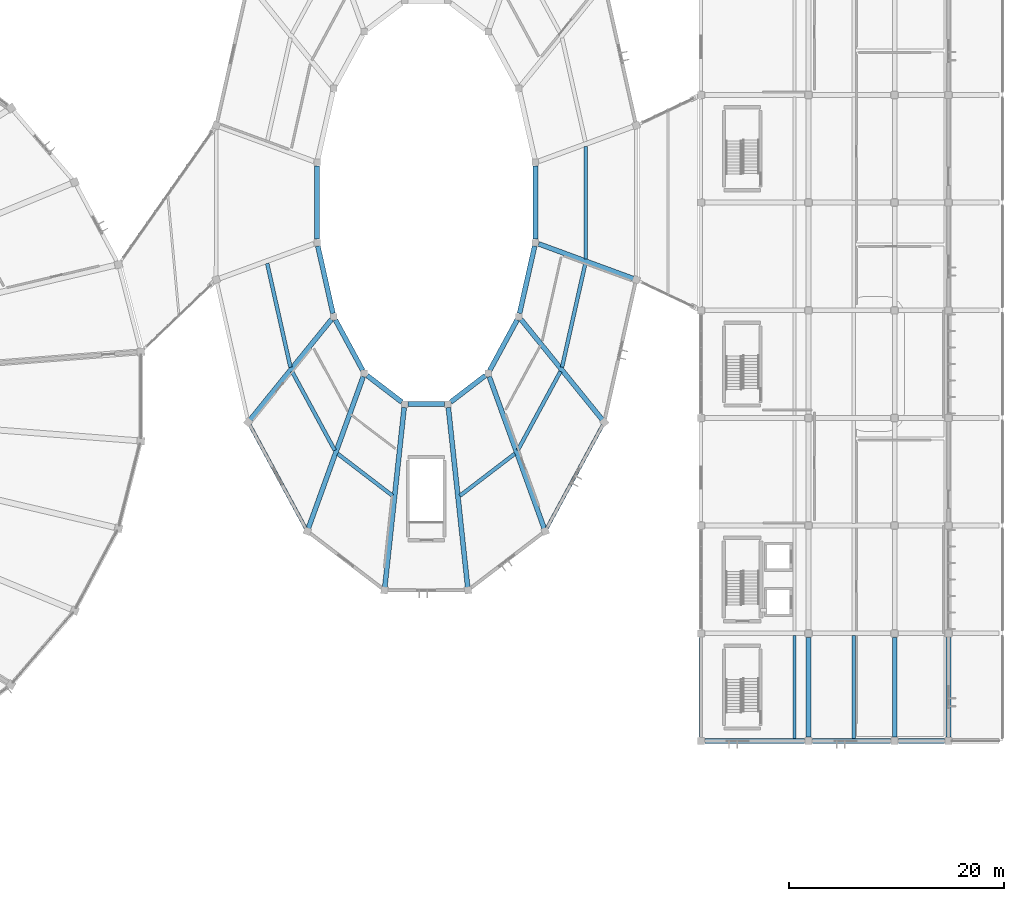
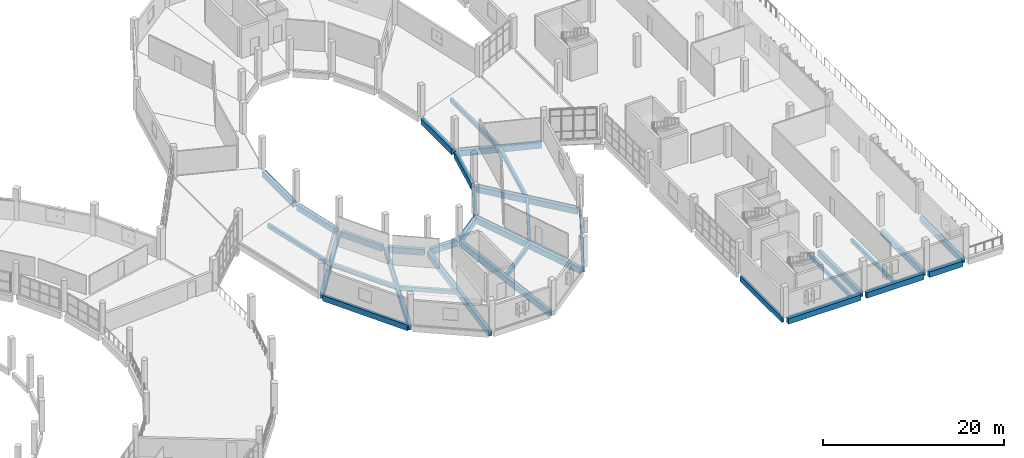
# One storey, part 53 of 142: 34 beams.
"""IFC4 building model written with IfcOpenShell, lengths in metres."""

from ifc_helpers import new_model, si_unit, direction, frame, origin, origin_2d, place, context, subcontext, project, spatial, rectangle, extrude, material, material_profile, profile_set, type_object, element, save


model = new_model("IFC4")

# Units and contexts
model_context = context("Model", 3, precision=1e-05, world=origin(), true_north=direction((0.0, 1.0)))
body_context = subcontext(model_context, "Body", "Model", "MODEL_VIEW")
ifc_project = project(units=[si_unit("LENGTHUNIT", "METRE"), si_unit("AREAUNIT", "SQUARE_METRE"), si_unit("VOLUMEUNIT", "CUBIC_METRE"), si_unit("PLANEANGLEUNIT", "RADIAN"), si_unit("MASSUNIT", "GRAM", prefix="KILO")], contexts=[model_context])

# Site, building, storey
site_placement = place(None, origin())
site = spatial("IfcSite", under=ifc_project, at=site_placement, CompositionType="ELEMENT")
building_placement = place(site_placement, origin())
building = spatial("IfcBuilding", under=site, at=building_placement, Name="Corvandel Quay Wholesale Market", CompositionType="ELEMENT")
storey_placement = place(building_placement, frame((0.0, 0.0, 10.800048828125)))
storey = spatial("IfcBuildingStorey", under=building, at=storey_placement, Name="L02", CompositionType="ELEMENT", Elevation=10.800048828125)

# Beams
ifc_material = material(Name="Precast concrete C45/55", Category="concrete")
ifc_material_profile_1 = material_profile(ifc_material, rectangle(XDim=0.449951171875, YDim=0.800048828125, at=origin_2d()), Name="PC-GIR-450x800")
ifc_profile_set_1 = profile_set([ifc_material_profile_1], Name="Precast concrete C45/55")
beam_type_1 = type_object("IfcBeamType", Name="Auction Pavilion Girder G05 450x800", PredefinedType="USERDEFINED", material=ifc_profile_set_1)
beam_1_placement = place(storey_placement, frame((184.360107421875, 63.404052734375, -0.6201171875), z_axis=(0.0, -1.0, 0.0), x_axis=(1.0, 0.0, 0.0)))
element("IfcBeam", 1, at=beam_1_placement, inside=storey, type_object=beam_type_1, Name="Beam BM-0846", ObjectType="GIRDER", PredefinedType="USERDEFINED", context=body_context, shape_type="SweptSolid", body=[
    extrude(rectangle(XDim=0.449951171875, YDim=0.800048828125, at=origin_2d()), origin(), (0.0, 0.0, 1.0), 6.80810546875),
])
beam_2_placement = place(storey_placement, frame((184.43017578125, 55.9638671875, -0.6201171875), z_axis=(0.218962135598, -0.975733356596, 0.0), x_axis=(0.975733356596, 0.218962135598, 0.0)))
element("IfcBeam", 2, at=beam_2_placement, inside=storey, type_object=beam_type_1, Name="Beam BM-0856", ObjectType="GIRDER", PredefinedType="USERDEFINED", context=body_context, shape_type="SweptSolid", body=[
    extrude(rectangle(XDim=0.449951171875, YDim=0.800048828125, at=origin_2d()), origin(), (0.0, 0.0, 1.0), 6.4111328125),
])
beam_3_placement = place(storey_placement, frame((186.056396484375, 49.114501953125, -0.6201171875), z_axis=(0.476224328517, -0.879323824839, 0.0), x_axis=(0.879323824839, 0.476224328517, 0.0)))
element("IfcBeam", 3, at=beam_3_placement, inside=storey, type_object=beam_type_1, Name="Beam BM-0867", ObjectType="GIRDER", PredefinedType="USERDEFINED", context=body_context, shape_type="SweptSolid", body=[
    extrude(rectangle(XDim=0.449951171875, YDim=0.800048828125, at=origin_2d()), origin(), (0.0, 0.0, 1.0), 5.3486328125),
])
beam_4_placement = place(storey_placement, frame((178.138916015625, 39.817626953125, -0.6201171875), z_axis=(0.629738976738, 0.776806810718, 0.0), x_axis=(-0.776806810718, 0.629738976738, 0.0)))
element("IfcBeam", 4, at=beam_4_placement, inside=storey, type_object=beam_type_1, Name="Beam BM-0868", ObjectType="GIRDER", PredefinedType="USERDEFINED", context=body_context, shape_type="SweptSolid", body=[
    extrude(rectangle(XDim=0.449951171875, YDim=0.800048828125, at=origin_2d()), origin(), (0.0, 0.0, 1.0), 12.010498046875),
])
beam_5_placement = place(storey_placement, frame((189.01025390625, 43.935546875, -0.6201171875), z_axis=(0.794361253638, -0.607445634372, 0.0), x_axis=(0.607445634372, 0.794361253638, 0.0)))
element("IfcBeam", 5, at=beam_5_placement, inside=storey, type_object=beam_type_1, Name="Beam BM-0878", ObjectType="GIRDER", PredefinedType="USERDEFINED", context=body_context, shape_type="SweptSolid", body=[
    extrude(rectangle(XDim=0.449951171875, YDim=0.800048828125, at=origin_2d()), origin(), (0.0, 0.0, 1.0), 4.0517578125),
])
beam_6_placement = place(storey_placement, frame((183.5458984375, 29.73486328125, -0.6201171875), z_axis=(0.340336804359, 0.940303599695, 0.0), x_axis=(-0.940303599695, 0.340336804359, 0.0)))
element("IfcBeam", 6, at=beam_6_placement, inside=storey, type_object=beam_type_1, Name="Beam BM-0879", ObjectType="GIRDER", PredefinedType="USERDEFINED", context=body_context, shape_type="SweptSolid", body=[
    extrude(rectangle(XDim=0.449951171875, YDim=0.800048828125, at=origin_2d()), origin(), (0.0, 0.0, 1.0), 14.989013671875),
])
beam_7_placement = place(storey_placement, frame((192.802978515625, 41.280029296875, -0.6201171875), z_axis=(1.0, 0.0, 0.0), x_axis=(0.0, 1.0, 0.0)))
element("IfcBeam", 7, at=beam_7_placement, inside=storey, type_object=beam_type_1, Name="Beam BM-0888", ObjectType="GIRDER", PredefinedType="USERDEFINED", context=body_context, shape_type="SweptSolid", body=[
    extrude(rectangle(XDim=0.449951171875, YDim=0.800048828125, at=origin_2d()), origin(), (0.0, 0.0, 1.0), 3.39404296875),
])
beam_8_placement = place(storey_placement, frame((190.64990234375, 24.268310546875, -0.6201171875), z_axis=(0.107135339087, 0.99424444636, 0.0), x_axis=(-0.99424444636, 0.107135339087, 0.0)))
element("IfcBeam", 8, at=beam_8_placement, inside=storey, type_object=beam_type_1, Name="Beam BM-0889", ObjectType="GIRDER", PredefinedType="USERDEFINED", context=body_context, shape_type="SweptSolid", body=[
    extrude(rectangle(XDim=0.449951171875, YDim=0.800048828125, at=origin_2d()), origin(), (0.0, 0.0, 1.0), 16.790283203125),
])
beam_9_placement = place(storey_placement, frame((196.771240234375, 41.474365234375, -0.6201171875), z_axis=(0.794361253638, 0.607445634372, 0.0), x_axis=(-0.607445634372, 0.794361253638, 0.0)))
element("IfcBeam", 9, at=beam_9_placement, inside=storey, type_object=beam_type_1, Name="Beam BM-0898", ObjectType="GIRDER", PredefinedType="USERDEFINED", context=body_context, shape_type="SweptSolid", body=[
    extrude(rectangle(XDim=0.449951171875, YDim=0.800048828125, at=origin_2d()), origin(), (0.0, 0.0, 1.0), 4.0517578125),
])
beam_10_placement = place(storey_placement, frame((198.35009765625, 24.268310546875, -0.6201171875), z_axis=(-0.107135339087, 0.99424444636, 0.0), x_axis=(-0.99424444636, -0.107135339087, 0.0)))
element("IfcBeam", 10, at=beam_10_placement, inside=storey, type_object=beam_type_1, Name="Beam BM-0899", ObjectType="GIRDER", PredefinedType="USERDEFINED", context=body_context, shape_type="SweptSolid", body=[
    extrude(rectangle(XDim=0.449951171875, YDim=0.800048828125, at=origin_2d()), origin(), (0.0, 0.0, 1.0), 16.790283203125),
])
beam_11_placement = place(storey_placement, frame((200.396484375, 44.411376953125, -0.6201171875), z_axis=(0.476224328517, 0.879323824839, 0.0), x_axis=(-0.879323824839, 0.476224328517, 0.0)))
element("IfcBeam", 11, at=beam_11_placement, inside=storey, type_object=beam_type_1, Name="Beam BM-0909", ObjectType="GIRDER", PredefinedType="USERDEFINED", context=body_context, shape_type="SweptSolid", body=[
    extrude(rectangle(XDim=0.449951171875, YDim=0.800048828125, at=origin_2d()), origin(), (0.0, 0.0, 1.0), 5.3486328125),
])
beam_12_placement = place(storey_placement, frame((205.4541015625, 29.73486328125, -0.6201171875), z_axis=(-0.340336804359, 0.940303599695, 0.0), x_axis=(-0.940303599695, -0.340336804359, 0.0)))
element("IfcBeam", 12, at=beam_12_placement, inside=storey, type_object=beam_type_1, Name="Beam BM-0910", ObjectType="GIRDER", PredefinedType="USERDEFINED", context=body_context, shape_type="SweptSolid", body=[
    extrude(rectangle(XDim=0.449951171875, YDim=0.800048828125, at=origin_2d()), origin(), (0.0, 0.0, 1.0), 14.989013671875),
])
beam_13_placement = place(storey_placement, frame((203.166015625, 49.708251953125, -0.6201171875), z_axis=(0.218962135598, 0.975733356596, 0.0), x_axis=(-0.975733356596, 0.218962135598, 0.0)))
element("IfcBeam", 13, at=beam_13_placement, inside=storey, type_object=beam_type_1, Name="Beam BM-0920", ObjectType="GIRDER", PredefinedType="USERDEFINED", context=body_context, shape_type="SweptSolid", body=[
    extrude(rectangle(XDim=0.449951171875, YDim=0.800048828125, at=origin_2d()), origin(), (0.0, 0.0, 1.0), 6.4111328125),
])
beam_14_placement = place(storey_placement, frame((210.861083984375, 39.817626953125, -0.6201171875), z_axis=(-0.629738976738, 0.776806810718, 0.0), x_axis=(-0.776806810718, -0.629738976738, 0.0)))
element("IfcBeam", 14, at=beam_14_placement, inside=storey, type_object=beam_type_1, Name="Beam BM-0921", ObjectType="GIRDER", PredefinedType="USERDEFINED", context=body_context, shape_type="SweptSolid", body=[
    extrude(rectangle(XDim=0.449951171875, YDim=0.800048828125, at=origin_2d()), origin(), (0.0, 0.0, 1.0), 12.010498046875),
])
beam_15_placement = place(storey_placement, frame((204.639892578125, 56.595947265625, -0.6201171875), z_axis=(0.0, 1.0, 0.0), x_axis=(-1.0, 0.0, 0.0)))
element("IfcBeam", 15, at=beam_15_placement, inside=storey, type_object=beam_type_1, Name="Beam BM-0931", ObjectType="GIRDER", PredefinedType="USERDEFINED", context=body_context, shape_type="SweptSolid", body=[
    extrude(rectangle(XDim=0.449951171875, YDim=0.800048828125, at=origin_2d()), origin(), (0.0, 0.0, 1.0), 6.80810546875),
])
beam_16_placement = place(storey_placement, frame((213.74658203125, 52.93212890625, -0.6201171875), z_axis=(-0.938713588156, 0.344698127949, 0.0), x_axis=(-0.344698127949, -0.938713588156, 0.0)))
element("IfcBeam", 16, at=beam_16_placement, inside=storey, type_object=beam_type_1, Name="Beam BM-0932", ObjectType="GIRDER", PredefinedType="USERDEFINED", context=body_context, shape_type="SweptSolid", body=[
    extrude(rectangle(XDim=0.449951171875, YDim=0.800048828125, at=origin_2d()), origin(), (0.0, 0.0, 1.0), 9.381103515625),
])
ifc_material_profile_2 = material_profile(ifc_material, rectangle(XDim=0.300048828125, YDim=0.5, at=origin_2d()), Name="PC-BM-300x500")
ifc_profile_set_2 = profile_set([ifc_material_profile_2], Name="Precast concrete C45/55")
beam_type_2 = type_object("IfcBeamType", Name="Office Floor Secondary Beam B04 300x500", PredefinedType="BEAM", material=ifc_profile_set_2)
for number, where, z_axis, x_axis, name in (
    (17, (228.699951171875, 10.215087890625, -0.570068359375), (0.0, 1.0, 0.0), (-1.0, 0.0, 0.0), "Beam BM-1594"),
    (18, (234.199951171875, 10.215087890625, -0.570068359375), (0.0, 1.0, 0.0), (-1.0, 0.0, 0.0), "Beam BM-1595"),
):
    element("IfcBeam", number, at=place(storey_placement, frame(where, z_axis=z_axis, x_axis=x_axis)), inside=storey, type_object=beam_type_2, Name=name, PredefinedType="BEAM", context=body_context, shape_type="SweptSolid", body=[
        extrude(rectangle(XDim=0.300048828125, YDim=0.5, at=origin_2d()), origin(), (0.0, 0.0, 1.0), 9.56982421875),
    ])
ifc_material_profile_3 = material_profile(ifc_material, rectangle(XDim=0.320068359375, YDim=0.75, at=origin_2d()), Name="PC-SPN-320x750")
ifc_profile_set_3 = profile_set([ifc_material_profile_3], Name="Precast concrete C45/55")
beam_type_3 = type_object("IfcBeamType", Name="Pavilion Precast Spandrel SP02 320x750", PredefinedType="SPANDREL", material=ifc_profile_set_3)
for number, where, z_axis, x_axis, name in (
    (19, (178.09765625, 39.37060546875, -0.594970703125), (0.476252338863, -0.879308654414, 0.0), (0.879308654414, 0.476252338863, 0.0), "Beam BM-0866"),
    (20, (205.674560546875, 29.718505859375, -0.594970703125), (0.476252338863, 0.879308654414, 0.0), (-0.879308654414, 0.476252338863, 0.0), "Beam BM-0908"),
):
    element("IfcBeam", number, at=place(storey_placement, frame(where, z_axis=z_axis, x_axis=x_axis)), inside=storey, type_object=beam_type_3, Name=name, PredefinedType="SPANDREL", context=body_context, shape_type="SweptSolid", body=[
        extrude(rectangle(XDim=0.320068359375, YDim=0.75, at=origin_2d()), origin(), (0.0, 0.0, 1.0), 10.976806640625),
    ])
ifc_material_profile_4 = material_profile(ifc_material, rectangle(XDim=0.35009765625, YDim=0.550048828125, at=origin_2d()), Name="PC-BM-350x550")
ifc_profile_set_4 = profile_set([ifc_material_profile_4], Name="Precast concrete C45/55")
beam_type_4 = type_object("IfcBeamType", Name="Standard Floor Secondary Beam B03 350x550", PredefinedType="BEAM", material=ifc_profile_set_4)
beam_17_placement = place(storey_placement, frame((179.72705078125, 54.34765625, -0.4951171875), z_axis=(0.218963891009, -0.975732962667, 0.0), x_axis=(0.975732962667, 0.218963891009, 0.0)))
element("IfcBeam", 21, at=beam_17_placement, inside=storey, type_object=beam_type_4, Name="Beam BM-0858", PredefinedType="BEAM", context=body_context, shape_type="SweptSolid", body=[
    extrude(rectangle(XDim=0.35009765625, YDim=0.550048828125, at=origin_2d()), origin(), (0.0, 0.0, 1.0), 9.87548828125),
])
beam_18_placement = place(storey_placement, frame((182.038818359375, 44.31298828125, -0.4951171875), z_axis=(0.476260468975, -0.879304250923, 0.0), x_axis=(0.879304250923, 0.476260468975, 0.0)))
element("IfcBeam", 22, at=beam_18_placement, inside=storey, type_object=beam_type_4, Name="Beam BM-0869", PredefinedType="BEAM", context=body_context, shape_type="SweptSolid", body=[
    extrude(rectangle(XDim=0.35009765625, YDim=0.550048828125, at=origin_2d()), origin(), (0.0, 0.0, 1.0), 8.322998046875),
])
for number, where, z_axis, x_axis, name in (
    (23, (186.27587890625, 36.6748046875, -0.4951171875), (0.794335189832, -0.607479716694, 0.0), (0.607479716694, 0.794335189832, 0.0), "Beam BM-0880"),
    (24, (197.618896484375, 32.7705078125, -0.4951171875), (0.794335189832, 0.607479716694, 0.0), (-0.607479716694, 0.794335189832, 0.0), "Beam BM-0900"),
):
    element("IfcBeam", number, at=place(storey_placement, frame(where, z_axis=z_axis, x_axis=x_axis)), inside=storey, type_object=beam_type_4, Name=name, PredefinedType="BEAM", context=body_context, shape_type="SweptSolid", body=[
        extrude(rectangle(XDim=0.35009765625, YDim=0.550048828125, at=origin_2d()), origin(), (0.0, 0.0, 1.0), 6.427001953125),
    ])
beam_19_placement = place(storey_placement, frame((202.997314453125, 36.99462890625, -0.4951171875), z_axis=(0.476260468975, 0.879304250923, 0.0), x_axis=(-0.879304250923, 0.476260468975, 0.0)))
element("IfcBeam", 25, at=beam_19_placement, inside=storey, type_object=beam_type_4, Name="Beam BM-0911", PredefinedType="BEAM", context=body_context, shape_type="SweptSolid", body=[
    extrude(rectangle(XDim=0.35009765625, YDim=0.550048828125, at=origin_2d()), origin(), (0.0, 0.0, 1.0), 8.322998046875),
])
beam_20_placement = place(storey_placement, frame((207.110595703125, 44.7119140625, -0.4951171875), z_axis=(0.218963891009, 0.975732962667, 0.0), x_axis=(-0.975732962667, 0.218963891009, 0.0)))
element("IfcBeam", 26, at=beam_20_placement, inside=storey, type_object=beam_type_4, Name="Beam BM-0922", PredefinedType="BEAM", context=body_context, shape_type="SweptSolid", body=[
    extrude(rectangle(XDim=0.35009765625, YDim=0.550048828125, at=origin_2d()), origin(), (0.0, 0.0, 1.0), 9.87548828125),
])
beam_21_placement = place(storey_placement, frame((209.320068359375, 54.7724609375, -0.4951171875), z_axis=(0.0, 1.0, 0.0), x_axis=(-1.0, 0.0, 0.0)))
element("IfcBeam", 27, at=beam_21_placement, inside=storey, type_object=beam_type_4, Name="Beam BM-0933", PredefinedType="BEAM", context=body_context, shape_type="SweptSolid", body=[
    extrude(rectangle(XDim=0.35009765625, YDim=0.550048828125, at=origin_2d()), origin(), (0.0, 0.0, 1.0), 10.455078125),
])
ifc_material_profile_5 = material_profile(ifc_material, rectangle(XDim=0.300048828125, YDim=0.699951171875, at=origin_2d()), Name="PC-SPN-300x700")
ifc_profile_set_5 = profile_set([ifc_material_profile_5], Name="Precast concrete C45/55")
beam_type_5 = type_object("IfcBeamType", Name="Terrace Edge Spandrel SP03 300x700", PredefinedType="SPANDREL", material=ifc_profile_set_5)
beam_22_placement = place(storey_placement, frame((220.0, 10.3701171875, -0.670166015625), z_axis=(0.0, 1.0, 0.0), x_axis=(-1.0, 0.0, 0.0)))
element("IfcBeam", 28, at=beam_22_placement, inside=storey, type_object=beam_type_5, Name="Beam BM-1549", PredefinedType="SPANDREL", context=body_context, shape_type="SweptSolid", body=[
    extrude(rectangle(XDim=0.300048828125, YDim=0.699951171875, at=origin_2d()), origin(), (0.0, 0.0, 1.0), 9.259765625),
])
ifc_material_profile_6 = material_profile(ifc_material, rectangle(XDim=0.449951171875, YDim=0.75, at=origin_2d()), Name="PC-GIR-450x750")
ifc_profile_set_6 = profile_set([ifc_material_profile_6], Name="Precast concrete C45/55")
beam_type_6 = type_object("IfcBeamType", Name="Waterfront Office Girder G06 450x750", PredefinedType="USERDEFINED", material=ifc_profile_set_6)
beam_23_placement = place(storey_placement, frame((220.3701171875, 10.0, -0.695068359375), z_axis=(1.0, 0.0, 0.0), x_axis=(0.0, 1.0, 0.0)))
element("IfcBeam", 29, at=beam_23_placement, inside=storey, type_object=beam_type_6, Name="Beam BM-1509", ObjectType="GIRDER", PredefinedType="USERDEFINED", context=body_context, shape_type="SweptSolid", body=[
    extrude(rectangle(XDim=0.449951171875, YDim=0.75, at=origin_2d()), origin(), (0.0, 0.0, 1.0), 9.259765625),
])
beam_24_placement = place(storey_placement, frame((230.3701171875, 10.0, -0.695068359375), z_axis=(1.0, 0.0, 0.0), x_axis=(0.0, 1.0, 0.0)))
element("IfcBeam", 30, at=beam_24_placement, inside=storey, type_object=beam_type_6, Name="Beam BM-1510", ObjectType="GIRDER", PredefinedType="USERDEFINED", context=body_context, shape_type="SweptSolid", body=[
    extrude(rectangle(XDim=0.449951171875, YDim=0.75, at=origin_2d()), origin(), (0.0, 0.0, 1.0), 7.259765625),
])
beam_25_placement = place(storey_placement, frame((238.3701171875, 10.0, -0.695068359375), z_axis=(1.0, 0.0, 0.0), x_axis=(0.0, 1.0, 0.0)))
element("IfcBeam", 31, at=beam_25_placement, inside=storey, type_object=beam_type_6, Name="Beam BM-1511", ObjectType="GIRDER", PredefinedType="USERDEFINED", context=body_context, shape_type="SweptSolid", body=[
    extrude(rectangle(XDim=0.449951171875, YDim=0.75, at=origin_2d()), origin(), (0.0, 0.0, 1.0), 4.259765625),
])
for number, where, z_axis, x_axis, name in (
    (32, (230.0, 10.3701171875, -0.695068359375), (0.0, 1.0, 0.0), (-1.0, 0.0, 0.0), "Beam BM-1558"),
    (33, (238.0, 10.3701171875, -0.695068359375), (0.0, 1.0, 0.0), (-1.0, 0.0, 0.0), "Beam BM-1567"),
    (34, (243.0, 10.3701171875, -0.695068359375), (0.0, 1.0, 0.0), (-1.0, 0.0, 0.0), "Beam BM-1576"),
):
    element("IfcBeam", number, at=place(storey_placement, frame(where, z_axis=z_axis, x_axis=x_axis)), inside=storey, type_object=beam_type_6, Name=name, ObjectType="GIRDER", PredefinedType="USERDEFINED", context=body_context, shape_type="SweptSolid", body=[
        extrude(rectangle(XDim=0.449951171875, YDim=0.75, at=origin_2d()), origin(), (0.0, 0.0, 1.0), 9.259765625),
    ])

save(model, "model.ifc")
